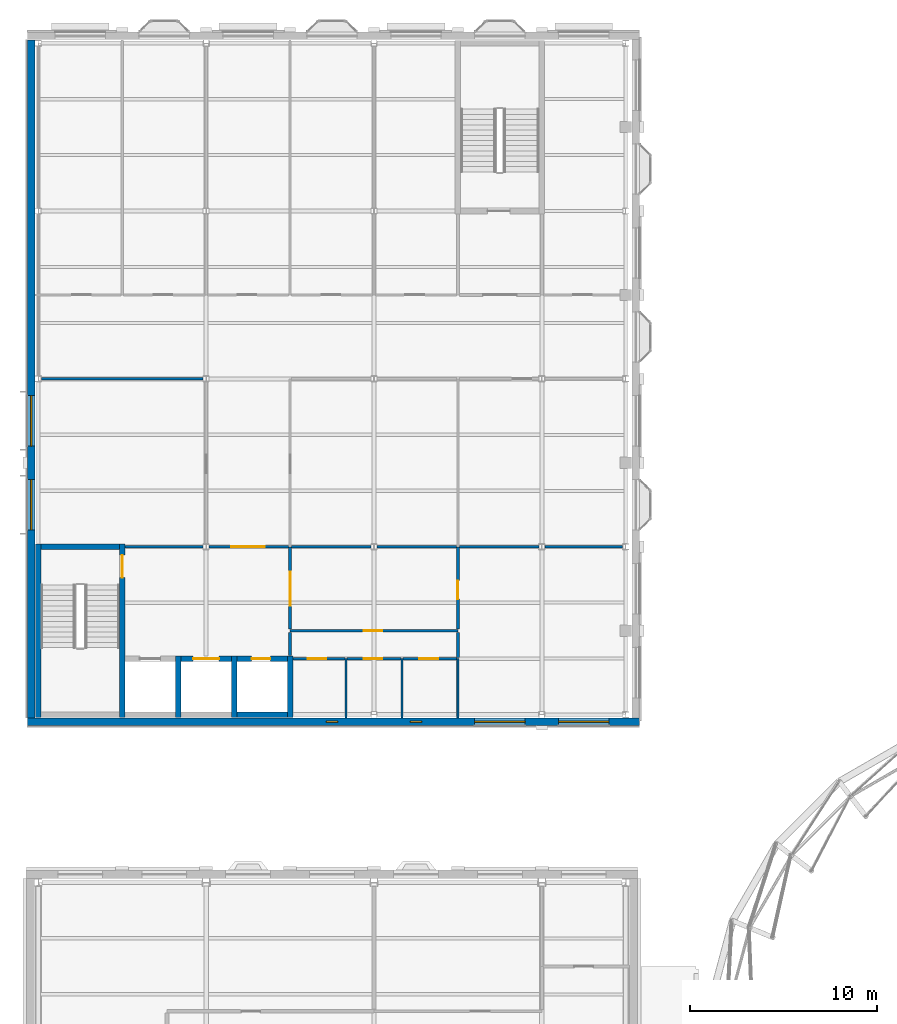
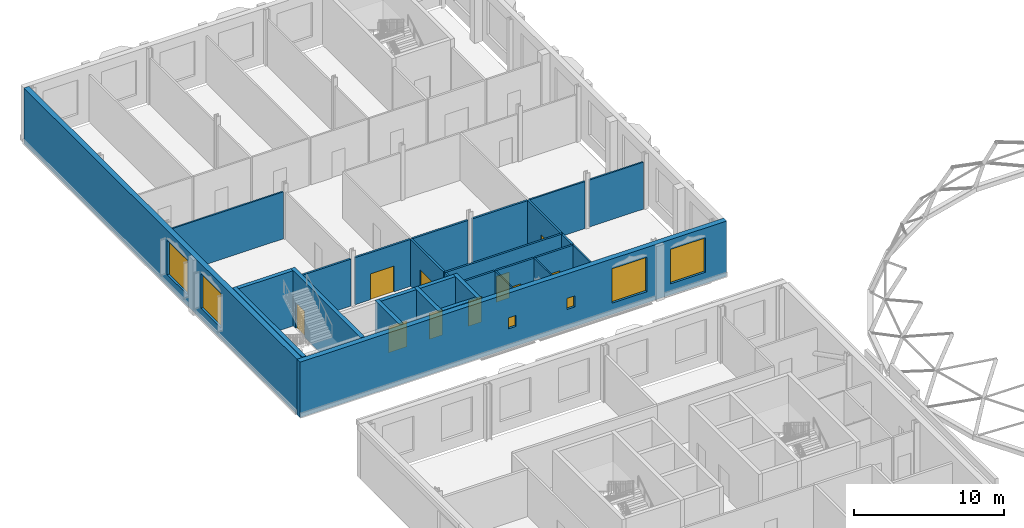
# One storey, part 25 of 59: 29 walls, 10 doors, 6 windows, 16 openings.
"""IFC4 building model written with IfcOpenShell, lengths in metres."""

from ifc_helpers import new_model, si_unit, direction, frame, frame_2d, origin, place, context, subcontext, project, spatial, rectangle, extrude, material, layer, layer_set, type_object, element, fill, save


model = new_model("IFC4")

# Units and contexts
model_context = context("Model", 3, precision=1e-05, world=origin(), true_north=direction((0.0, 1.0)))
body_context = subcontext(model_context, "Body", "Model", "MODEL_VIEW")
ifc_project = project(units=[si_unit("LENGTHUNIT", "METRE"), si_unit("AREAUNIT", "SQUARE_METRE"), si_unit("VOLUMEUNIT", "CUBIC_METRE"), si_unit("PLANEANGLEUNIT", "RADIAN"), si_unit("MASSUNIT", "GRAM", prefix="KILO")], contexts=[model_context])

# Site, building, storey
site_placement = place(None, origin())
site = spatial("IfcSite", under=ifc_project, at=site_placement, CompositionType="ELEMENT")
building_placement = place(site_placement, origin())
building = spatial("IfcBuilding", under=site, at=building_placement, Name="Hortulan Conservatory and Botanical Research Centre", CompositionType="ELEMENT")
storey_placement = place(building_placement, frame((0.0, 0.0, 10.5)))
storey = spatial("IfcBuildingStorey", under=building, at=storey_placement, Name="L02", CompositionType="ELEMENT", Elevation=10.5)

# Wall
ifc_material_1 = material(Name="Concrete N40 (40 MPa, AS 3600)", Category="concrete")
ifc_layer_1 = layer(ifc_material_1, 0.300048828125)
ifc_layer_set_1 = layer_set([ifc_layer_1], Name="Core Wall 300 N40 FRL 180/120/120")
wall_type_1 = type_object("IfcWallType", Name="Core Wall 300 N40 FRL 180/120/120", PredefinedType="SHEAR", material=ifc_layer_set_1)
wall_1_placement = place(storey_placement, frame((0.0, 35.85009765625, 0.0), z_axis=(0.0, 0.0, 1.0), x_axis=(0.0, 1.0, 0.0)))
element("IfcWall", 1, at=wall_1_placement, inside=storey, type_object=wall_type_1, Name="Reinforced concrete shaft wall", PredefinedType="SHEAR", context=body_context, shape_type="SweptSolid", body=[
    extrude(rectangle(XDim=9.2998046875, YDim=0.300048828125, at=frame_2d((4.64990234375, 0.0))), origin(), (0.0, 0.0, 1.0), 4.5),
])

# Wall, opening, door
wall_2_placement = place(storey_placement, frame((4.5, 35.85009765625, 0.0), z_axis=(0.0, 0.0, 1.0), x_axis=(0.0, 1.0, 0.0)))
wall_2 = element("IfcWall", 2, at=wall_2_placement, inside=storey, type_object=wall_type_1, Name="Reinforced concrete shaft wall", PredefinedType="SHEAR", context=body_context, shape_type="SweptSolid", body=[
    extrude(rectangle(XDim=9.2998046875, YDim=0.300048828125, at=frame_2d((4.64990234375, 0.0))), origin(), (0.0, 0.0, 1.0), 4.5),
])
opening_1_placement = place(wall_2_placement, frame((7.5, 0.0, 0.0)))
opening_1 = element("IfcOpeningElement", 3, at=opening_1_placement, cuts=wall_2, Name="Opening DT5", PredefinedType="OPENING", context=body_context, shape_type="SweptSolid", body=[
    extrude(rectangle(XDim=1.199951171875, YDim=2.10009765625, at=frame_2d((0.60009765625, 1.050048828125))), frame((0.0, 0.159912109375, 0.0), z_axis=(0.0, -1.0, 0.0), x_axis=(1.0, 0.0, 0.0)), (0.0, 0.0, 1.0), 0.320068359375),
])
ifc_material_2 = material(Name="Steel door leaf, insulated", Category="steel")
door_type_1 = type_object("IfcDoorType", Name="Stair Door 1200x2100 FRL -/120/30", OperationType="NOTDEFINED", PredefinedType="DOOR", material=ifc_material_2)
door_1_placement = place(opening_1_placement, origin())
door_1 = element("IfcDoor", 4, at=door_1_placement, inside=storey, type_object=door_type_1, Name="Door DT5 Exit Stair V1 to Lift Lobby", OperationType="SINGLE_SWING_LEFT", OverallHeight=2.10009765625, OverallWidth=1.199951171875, PredefinedType="DOOR", context=body_context, shape_type="SweptSolid", body=[
    extrude(rectangle(XDim=1.199951171875, YDim=2.10009765625, at=frame_2d((0.60009765625, 1.050048828125))), frame((0.0, 0.02490234375, 0.0), z_axis=(0.0, -1.0, 0.0), x_axis=(1.0, 0.0, 0.0)), (0.0, 0.0, 1.0), 0.050048828125),
])
fill(opening_1, door_1)

# Walls
for number, where, z_axis, x_axis, name in (
    (5, (7.5, 35.85009765625, 0.0), (0.0, 0.0, 1.0), (0.0, 1.0, 0.0), "Reinforced concrete shaft wall"),
    (6, (10.5, 35.85009765625, 0.0), (0.0, 0.0, 1.0), (0.0, 1.0, 0.0), "Reinforced concrete shaft wall"),
    (7, (13.5, 35.85009765625, 0.0), (0.0, 0.0, 1.0), (0.0, 1.0, 0.0), "Reinforced concrete shaft wall"),
):
    element("IfcWall", number, at=place(storey_placement, frame(where, z_axis=z_axis, x_axis=x_axis)), inside=storey, type_object=wall_type_1, Name=name, PredefinedType="SHEAR", context=body_context, shape_type="SweptSolid", body=[
        extrude(rectangle(XDim=3.2998046875, YDim=0.300048828125, at=frame_2d((1.64990234375, 0.0))), origin(), (0.0, 0.0, 1.0), 4.5),
    ])
wall_3_placement = place(storey_placement, frame((10.64990234375, 36.0, 0.0), z_axis=(0.0, 0.0, 1.0), x_axis=(1.0, 0.0, 0.0)))
element("IfcWall", 8, at=wall_3_placement, inside=storey, type_object=wall_type_1, Name="Reinforced concrete shaft wall", PredefinedType="SHEAR", context=body_context, shape_type="SweptSolid", body=[
    extrude(rectangle(XDim=2.7001953125, YDim=0.300048828125, at=frame_2d((1.35009765625, 0.0))), origin(), (0.0, 0.0, 1.0), 4.5),
])

# Wall, opening, door
wall_4_placement = place(storey_placement, frame((7.64990234375, 39.0, 0.0), z_axis=(0.0, 0.0, 1.0), x_axis=(1.0, 0.0, 0.0)))
wall_4 = element("IfcWall", 9, at=wall_4_placement, inside=storey, type_object=wall_type_1, Name="Reinforced concrete shaft wall", PredefinedType="SHEAR", context=body_context, shape_type="SweptSolid", body=[
    extrude(rectangle(XDim=2.7001953125, YDim=0.300048828125, at=frame_2d((1.35009765625, 0.0))), origin(), (0.0, 0.0, 1.0), 4.5),
])
opening_2_placement = place(wall_4_placement, frame((0.64990234375, 0.0, 0.0)))
opening_2 = element("IfcOpeningElement", 10, at=opening_2_placement, cuts=wall_4, Name="Opening LD2", PredefinedType="OPENING", context=body_context, shape_type="SweptSolid", body=[
    extrude(rectangle(XDim=1.39990234375, YDim=2.10009765625, at=frame_2d((0.699951171875, 1.050048828125))), frame((0.0, 0.159912109375, 0.0), z_axis=(0.0, -1.0, 0.0), x_axis=(1.0, 0.0, 0.0)), (0.0, 0.0, 1.0), 0.320068359375),
])
ifc_material_3 = material(Name="Stainless steel door leaves in steel frame", Category="steel")
door_type_2 = type_object("IfcDoorType", Name="Lift Landing Door 1400x2100", OperationType="DOUBLE_DOOR_SLIDING", PredefinedType="DOOR", material=ifc_material_3)
door_2_placement = place(opening_2_placement, origin())
door_2 = element("IfcDoor", 11, at=door_2_placement, inside=storey, type_object=door_type_2, Name="Lift LV2 landing door L02", OperationType="DOUBLE_DOOR_SLIDING", OverallHeight=2.10009765625, OverallWidth=1.39990234375, PredefinedType="DOOR", context=body_context, shape_type="SweptSolid", body=[
    extrude(rectangle(XDim=1.39990234375, YDim=2.10009765625, at=frame_2d((0.699951171875, 1.050048828125))), frame((0.0, 0.02490234375, 0.0), z_axis=(0.0, -1.0, 0.0), x_axis=(1.0, 0.0, 0.0)), (0.0, 0.0, 1.0), 0.050048828125),
])
fill(opening_2, door_2)

wall_5_placement = place(storey_placement, frame((10.64990234375, 39.0, 0.0), z_axis=(0.0, 0.0, 1.0), x_axis=(1.0, 0.0, 0.0)))
wall_5 = element("IfcWall", 12, at=wall_5_placement, inside=storey, type_object=wall_type_1, Name="Reinforced concrete shaft wall", PredefinedType="SHEAR", context=body_context, shape_type="SweptSolid", body=[
    extrude(rectangle(XDim=2.7001953125, YDim=0.300048828125, at=frame_2d((1.35009765625, 0.0))), origin(), (0.0, 0.0, 1.0), 4.5),
])
opening_3_placement = place(wall_5_placement, frame((0.788818359375, 0.0, 0.0)))
opening_3 = element("IfcOpeningElement", 13, at=opening_3_placement, cuts=wall_5, Name="Opening DT6", PredefinedType="OPENING", context=body_context, shape_type="SweptSolid", body=[
    extrude(rectangle(XDim=1.0, YDim=2.10009765625, at=frame_2d((0.5, 1.050048828125))), frame((0.0, 0.159912109375, 0.0), z_axis=(0.0, -1.0, 0.0), x_axis=(1.0, 0.0, 0.0)), (0.0, 0.0, 1.0), 0.320068359375),
])
door_type_3 = type_object("IfcDoorType", Name="Fire Door 1000x2100 FRL -/120/30", OperationType="NOTDEFINED", PredefinedType="DOOR", material=ifc_material_2)
door_3_placement = place(opening_3_placement, frame((1.0, 0.0, 0.0), z_axis=(0.0, 0.0, 1.0), x_axis=(-1.0, 0.0, 0.0)))
door_3 = element("IfcDoor", 14, at=door_3_placement, inside=storey, type_object=door_type_3, Name="Door DT6 Services Riser to Lift Lobby", OperationType="SINGLE_SWING_RIGHT", OverallHeight=2.10009765625, OverallWidth=1.0, PredefinedType="DOOR", context=body_context, shape_type="SweptSolid", body=[
    extrude(rectangle(XDim=1.0, YDim=2.10009765625, at=frame_2d((0.5, 1.050048828125))), frame((0.0, 0.02490234375, 0.0), z_axis=(0.0, -1.0, 0.0), x_axis=(1.0, 0.0, 0.0)), (0.0, 0.0, 1.0), 0.050048828125),
])
fill(opening_3, door_3)

# Wall
wall_6_placement = place(storey_placement, frame((0.14990234375, 45.0, 0.0), z_axis=(0.0, 0.0, 1.0), x_axis=(1.0, 0.0, 0.0)))
element("IfcWall", 15, at=wall_6_placement, inside=storey, type_object=wall_type_1, Name="Reinforced concrete shaft wall", PredefinedType="SHEAR", context=body_context, shape_type="SweptSolid", body=[
    extrude(rectangle(XDim=4.2001953125, YDim=0.300048828125, at=frame_2d((2.10009765625, 0.0))), origin(), (0.0, 0.0, 1.0), 4.5),
])

# Wall, opening, door
ifc_material_4 = material(Name="Plasterboard on steel studs", Category="steel")
ifc_layer_2 = layer(ifc_material_4, 0.14990234375)
ifc_layer_set_2 = layer_set([ifc_layer_2], Name="Corridor Partition 150")
wall_type_2 = type_object("IfcWallType", Name="Corridor Partition 150", PredefinedType="PARTITIONING", material=ifc_layer_set_2)
wall_7_placement = place(storey_placement, frame((22.5, 40.5849609375, 0.0), z_axis=(0.0, 0.0, 1.0), x_axis=(0.0, 1.0, 0.0)))
wall_7 = element("IfcWall", 16, at=wall_7_placement, inside=storey, type_object=wall_type_2, Name="Partition Education Foyer and Teachers' Room L02", PredefinedType="PARTITIONING", context=body_context, shape_type="SweptSolid", body=[
    extrude(rectangle(XDim=4.405029296875, YDim=0.14990234375, at=frame_2d((2.20263671875, 0.0))), origin(), (0.0, 0.0, 1.0), 3.822021484375),
])
opening_4_placement = place(wall_7_placement, frame((1.60302734375, 0.0, 0.0)))
opening_4 = element("IfcOpeningElement", 17, at=opening_4_placement, cuts=wall_7, Name="Opening DT1", PredefinedType="OPENING", context=body_context, shape_type="SweptSolid", body=[
    extrude(rectangle(XDim=1.0, YDim=2.10009765625, at=frame_2d((0.5, 1.050048828125))), frame((0.0, 0.0849609375, 0.0), z_axis=(0.0, -1.0, 0.0), x_axis=(1.0, 0.0, 0.0)), (0.0, 0.0, 1.0), 0.169921875),
])
ifc_material_5 = material(Name="Timber door leaf in timber frame", Category="wood")
door_type_4 = type_object("IfcDoorType", Name="Single Door 1000x2100", OperationType="NOTDEFINED", PredefinedType="DOOR", material=ifc_material_5)
door_4_placement = place(opening_4_placement, frame((1.0, 0.0, 0.0), z_axis=(0.0, 0.0, 1.0), x_axis=(-1.0, 0.0, 0.0)))
door_4 = element("IfcDoor", 18, at=door_4_placement, inside=storey, type_object=door_type_4, Name="Door DT1 Teachers' Room to Education Foyer", OperationType="SINGLE_SWING_RIGHT", OverallHeight=2.10009765625, OverallWidth=1.0, PredefinedType="DOOR", context=body_context, shape_type="SweptSolid", body=[
    extrude(rectangle(XDim=1.0, YDim=2.10009765625, at=frame_2d((0.5, 1.050048828125))), frame((0.0, 0.02490234375, 0.0), z_axis=(0.0, -1.0, 0.0), x_axis=(1.0, 0.0, 0.0)), (0.0, 0.0, 1.0), 0.050048828125),
])
fill(opening_4, door_4)

# Walls
for number, where, z_axis, x_axis, name in (
    (19, (13.574951171875, 45.0, 0.0), (0.0, 0.0, 1.0), (1.0, 0.0, 0.0), "Partition Education Foyer and Education Preparation Room L02"),
    (20, (18.16357421875, 45.0, 0.0), (0.0, 0.0, 1.0), (1.0, 0.0, 0.0), "Partition Education Foyer and Education Preparation Room L02"),
):
    element("IfcWall", number, at=place(storey_placement, frame(where, z_axis=z_axis, x_axis=x_axis)), inside=storey, type_object=wall_type_2, Name=name, PredefinedType="PARTITIONING", context=body_context, shape_type="SweptSolid", body=[
        extrude(rectangle(XDim=4.261474609375, YDim=0.14990234375, at=frame_2d((2.130859375, 0.0))), origin(), (0.0, 0.0, 1.0), 3.822021484375),
    ])

# Wall, openings, windows
ifc_material_6 = material(Name="Faience-faced brickwork masonry", Category="masonry")
ifc_layer_3 = layer(ifc_material_6, 0.39990234375)
ifc_layer_set_3 = layer_set([ifc_layer_3], Name="Faience-faced Masonry Cavity Wall 400")
wall_type_3 = type_object("IfcWallType", Name="Faience-faced Masonry Cavity Wall 400", PredefinedType="STANDARD", material=ifc_layer_set_3)
wall_8_placement = place(storey_placement, frame((32.22509765625, 35.614501953125, 0.0), z_axis=(0.0, 0.0, 1.0), x_axis=(-1.0, 0.0, 0.0)))
wall_8 = element("IfcWall", 21, at=wall_8_placement, inside=storey, type_object=wall_type_3, Name="E-EW-VC-L02-S1", PredefinedType="STANDARD", context=body_context, shape_type="SweptSolid", body=[
    extrude(rectangle(XDim=32.8046875, YDim=0.39990234375, at=frame_2d((16.40234375, 0.0))), origin(), (0.0, 0.0, 1.0), 4.5),
])
opening_5_placement = place(wall_8_placement, frame((16.175048828125, 0.0, 1.60009765625)))
opening_5 = element("IfcOpeningElement", 22, at=opening_5_placement, cuts=wall_8, Name="Opening W3", PredefinedType="OPENING", context=body_context, shape_type="SweptSolid", body=[
    extrude(rectangle(XDim=0.60009765625, YDim=0.89990234375, at=frame_2d((0.300048828125, 0.449951171875))), frame((0.0, 0.2099609375, 0.0), z_axis=(0.0, -1.0, 0.0), x_axis=(1.0, 0.0, 0.0)), (0.0, 0.0, 1.0), 0.419921875),
])
opening_6_placement = place(wall_8_placement, frame((11.675048828125, 0.0, 1.60009765625)))
opening_6 = element("IfcOpeningElement", 23, at=opening_6_placement, cuts=wall_8, Name="Opening W3", PredefinedType="OPENING", context=body_context, shape_type="SweptSolid", body=[
    extrude(rectangle(XDim=0.60009765625, YDim=0.89990234375, at=frame_2d((0.300048828125, 0.449951171875))), frame((0.0, 0.2099609375, 0.0), z_axis=(0.0, -1.0, 0.0), x_axis=(1.0, 0.0, 0.0)), (0.0, 0.0, 1.0), 0.419921875),
])
opening_7_placement = place(wall_8_placement, frame((6.125, 0.0, 0.89990234375)))
opening_7 = element("IfcOpeningElement", 24, at=opening_7_placement, cuts=wall_8, Name="Opening W9", PredefinedType="OPENING", context=body_context, shape_type="SweptSolid", body=[
    extrude(rectangle(XDim=2.699951171875, YDim=2.800048828125, at=frame_2d((1.35009765625, 1.39990234375))), frame((0.0, 0.2099609375, 0.0), z_axis=(0.0, -1.0, 0.0), x_axis=(1.0, 0.0, 0.0)), (0.0, 0.0, 1.0), 0.419921875),
])
opening_8_placement = place(wall_8_placement, frame((1.625, 0.0, 0.89990234375)))
opening_8 = element("IfcOpeningElement", 25, at=opening_8_placement, cuts=wall_8, Name="Opening W9", PredefinedType="OPENING", context=body_context, shape_type="SweptSolid", body=[
    extrude(rectangle(XDim=2.699951171875, YDim=2.800048828125, at=frame_2d((1.35009765625, 1.39990234375))), frame((0.0, 0.2099609375, 0.0), z_axis=(0.0, -1.0, 0.0), x_axis=(1.0, 0.0, 0.0)), (0.0, 0.0, 1.0), 0.419921875),
])
ifc_material_7 = material(Name="Bronze-finished aluminium frame with low-e laminated double glazing", Category="aluminium")
window_type_1 = type_object("IfcWindowType", Name="Faience Window 2700x2800", PartitioningType="SINGLE_PANEL", PredefinedType="WINDOW", material=ifc_material_7)
window_1_placement = place(opening_7_placement, origin())
window_1 = element("IfcWindow", 26, at=window_1_placement, inside=storey, type_object=window_type_1, Name="Faience window", OverallHeight=2.800048828125, OverallWidth=2.699951171875, PartitioningType="SINGLE_PANEL", PredefinedType="WINDOW", context=body_context, shape_type="SweptSolid", body=[
    extrude(rectangle(XDim=2.699951171875, YDim=2.800048828125, at=frame_2d((1.35009765625, 1.39990234375))), frame((0.0, 0.030029296875, 0.0), z_axis=(0.0, -1.0, 0.0), x_axis=(1.0, 0.0, 0.0)), (0.0, 0.0, 1.0), 0.06005859375),
])
fill(opening_7, window_1)
window_2_placement = place(opening_8_placement, origin())
window_2 = element("IfcWindow", 27, at=window_2_placement, inside=storey, type_object=window_type_1, Name="Faience window", OverallHeight=2.800048828125, OverallWidth=2.699951171875, PartitioningType="SINGLE_PANEL", PredefinedType="WINDOW", context=body_context, shape_type="SweptSolid", body=[
    extrude(rectangle(XDim=2.699951171875, YDim=2.800048828125, at=frame_2d((1.35009765625, 1.39990234375))), frame((0.0, 0.030029296875, 0.0), z_axis=(0.0, -1.0, 0.0), x_axis=(1.0, 0.0, 0.0)), (0.0, 0.0, 1.0), 0.06005859375),
])
fill(opening_8, window_2)
window_type_2 = type_object("IfcWindowType", Name="Slot Window 600x900", PartitioningType="SINGLE_PANEL", PredefinedType="WINDOW", material=ifc_material_7)
window_3_placement = place(opening_5_placement, origin())
window_3 = element("IfcWindow", 28, at=window_3_placement, inside=storey, type_object=window_type_2, Name="Slot window", OverallHeight=0.89990234375, OverallWidth=0.60009765625, PartitioningType="SINGLE_PANEL", PredefinedType="WINDOW", context=body_context, shape_type="SweptSolid", body=[
    extrude(rectangle(XDim=0.60009765625, YDim=0.89990234375, at=frame_2d((0.300048828125, 0.449951171875))), frame((0.0, 0.030029296875, 0.0), z_axis=(0.0, -1.0, 0.0), x_axis=(1.0, 0.0, 0.0)), (0.0, 0.0, 1.0), 0.06005859375),
])
fill(opening_5, window_3)
window_4_placement = place(opening_6_placement, origin())
window_4 = element("IfcWindow", 29, at=window_4_placement, inside=storey, type_object=window_type_2, Name="Slot window", OverallHeight=0.89990234375, OverallWidth=0.60009765625, PartitioningType="SINGLE_PANEL", PredefinedType="WINDOW", context=body_context, shape_type="SweptSolid", body=[
    extrude(rectangle(XDim=0.60009765625, YDim=0.89990234375, at=frame_2d((0.300048828125, 0.449951171875))), frame((0.0, 0.030029296875, 0.0), z_axis=(0.0, -1.0, 0.0), x_axis=(1.0, 0.0, 0.0)), (0.0, 0.0, 1.0), 0.06005859375),
])
fill(opening_6, window_4)

wall_9_placement = place(storey_placement, frame((-0.37939453125, 35.820556640625, 0.0), z_axis=(0.0, 0.0, 1.0), x_axis=(0.0, 1.0, 0.0)))
wall_9 = element("IfcWall", 30, at=wall_9_placement, inside=storey, type_object=wall_type_3, Name="E-EW-VC-L02-W2", PredefinedType="STANDARD", context=body_context, shape_type="SweptSolid", body=[
    extrude(rectangle(XDim=36.35888671875, YDim=0.39990234375, at=frame_2d((18.179443359375, 0.0))), origin(), (0.0, 0.0, 1.0), 4.5),
])
opening_9_placement = place(wall_9_placement, frame((10.07958984375, 0.0, 0.89990234375)))
opening_9 = element("IfcOpeningElement", 31, at=opening_9_placement, cuts=wall_9, Name="Opening W9", PredefinedType="OPENING", context=body_context, shape_type="SweptSolid", body=[
    extrude(rectangle(XDim=2.699951171875, YDim=2.800048828125, at=frame_2d((1.35009765625, 1.39990234375))), frame((0.0, 0.2099609375, 0.0), z_axis=(0.0, -1.0, 0.0), x_axis=(1.0, 0.0, 0.0)), (0.0, 0.0, 1.0), 0.419921875),
])
opening_10_placement = place(wall_9_placement, frame((14.57958984375, 0.0, 0.89990234375)))
opening_10 = element("IfcOpeningElement", 32, at=opening_10_placement, cuts=wall_9, Name="Opening W9", PredefinedType="OPENING", context=body_context, shape_type="SweptSolid", body=[
    extrude(rectangle(XDim=2.699951171875, YDim=2.800048828125, at=frame_2d((1.35009765625, 1.39990234375))), frame((0.0, 0.2099609375, 0.0), z_axis=(0.0, -1.0, 0.0), x_axis=(1.0, 0.0, 0.0)), (0.0, 0.0, 1.0), 0.419921875),
])
window_5_placement = place(opening_9_placement, origin())
window_5 = element("IfcWindow", 33, at=window_5_placement, inside=storey, type_object=window_type_1, Name="Faience window", OverallHeight=2.800048828125, OverallWidth=2.699951171875, PartitioningType="SINGLE_PANEL", PredefinedType="WINDOW", context=body_context, shape_type="SweptSolid", body=[
    extrude(rectangle(XDim=2.699951171875, YDim=2.800048828125, at=frame_2d((1.35009765625, 1.39990234375))), frame((0.0, 0.030029296875, 0.0), z_axis=(0.0, -1.0, 0.0), x_axis=(1.0, 0.0, 0.0)), (0.0, 0.0, 1.0), 0.06005859375),
])
fill(opening_9, window_5)
window_6_placement = place(opening_10_placement, origin())
window_6 = element("IfcWindow", 34, at=window_6_placement, inside=storey, type_object=window_type_1, Name="Faience window", OverallHeight=2.800048828125, OverallWidth=2.699951171875, PartitioningType="SINGLE_PANEL", PredefinedType="WINDOW", context=body_context, shape_type="SweptSolid", body=[
    extrude(rectangle(XDim=2.699951171875, YDim=2.800048828125, at=frame_2d((1.35009765625, 1.39990234375))), frame((0.0, 0.030029296875, 0.0), z_axis=(0.0, -1.0, 0.0), x_axis=(1.0, 0.0, 0.0)), (0.0, 0.0, 1.0), 0.06005859375),
])
fill(opening_10, window_6)

# Wall
ifc_material_8 = material(Name="Fire-rated plasterboard on steel studs", Category="steel")
ifc_layer_4 = layer(ifc_material_8, 0.14990234375)
ifc_layer_set_4 = layer_set([ifc_layer_4], Name="Lobby Partition 150")
wall_type_4 = type_object("IfcWallType", Name="Lobby Partition 150", PredefinedType="PARTITIONING", material=ifc_layer_set_4)
wall_10_placement = place(storey_placement, frame((13.5, 39.159912109375, 0.0), z_axis=(0.0, 0.0, 1.0), x_axis=(0.0, 1.0, 0.0)))
element("IfcWall", 35, at=wall_10_placement, inside=storey, type_object=wall_type_4, Name="Partition Lift Lobby and WC Lobby L02", PredefinedType="PARTITIONING", context=body_context, shape_type="SweptSolid", body=[
    extrude(rectangle(XDim=1.255126953125, YDim=0.14990234375, at=frame_2d((0.62744140625, 0.0))), origin(), (0.0, 0.0, 1.0), 3.822021484375),
])

# Wall, opening, door
wall_11_placement = place(storey_placement, frame((13.5, 40.5849609375, 0.0), z_axis=(0.0, 0.0, 1.0), x_axis=(0.0, 1.0, 0.0)))
wall_11 = element("IfcWall", 36, at=wall_11_placement, inside=storey, type_object=wall_type_4, Name="Partition Lift Lobby and Education Foyer L02", PredefinedType="PARTITIONING", context=body_context, shape_type="SweptSolid", body=[
    extrude(rectangle(XDim=4.405029296875, YDim=0.14990234375, at=frame_2d((2.20263671875, 0.0))), origin(), (0.0, 0.0, 1.0), 3.822021484375),
])
opening_11_placement = place(wall_11_placement, frame((1.264892578125, 0.0, 0.0)))
opening_11 = element("IfcOpeningElement", 37, at=opening_11_placement, cuts=wall_11, Name="Opening DT8", PredefinedType="OPENING", context=body_context, shape_type="SweptSolid", body=[
    extrude(rectangle(XDim=1.800048828125, YDim=2.10009765625, at=frame_2d((0.89990234375, 1.050048828125))), frame((0.0, 0.0849609375, 0.0), z_axis=(0.0, -1.0, 0.0), x_axis=(1.0, 0.0, 0.0)), (0.0, 0.0, 1.0), 0.169921875),
])
door_type_5 = type_object("IfcDoorType", Name="Lobby Double Door 1800x2100 FRL -/60/30", OperationType="DOUBLE_DOOR_SINGLE_SWING", PredefinedType="DOOR", material=ifc_material_2)
door_5_placement = place(opening_11_placement, frame((1.800048828125, 0.0, 0.0), z_axis=(0.0, 0.0, 1.0), x_axis=(-1.0, 0.0, 0.0)))
door_5 = element("IfcDoor", 38, at=door_5_placement, inside=storey, type_object=door_type_5, Name="Door DT8 Lift Lobby to Education Foyer", OperationType="DOUBLE_DOOR_SINGLE_SWING", OverallHeight=2.10009765625, OverallWidth=1.800048828125, PredefinedType="DOOR", context=body_context, shape_type="SweptSolid", body=[
    extrude(rectangle(XDim=1.800048828125, YDim=2.10009765625, at=frame_2d((0.89990234375, 1.050048828125))), frame((0.0, 0.02490234375, 0.0), z_axis=(0.0, -1.0, 0.0), x_axis=(1.0, 0.0, 0.0)), (0.0, 0.0, 1.0), 0.050048828125),
])
fill(opening_11, door_5)

# Wall
wall_12_placement = place(storey_placement, frame((22.5, 39.074951171875, 0.0), z_axis=(0.0, 0.0, 1.0), x_axis=(0.0, 1.0, 0.0)))
element("IfcWall", 39, at=wall_12_placement, inside=storey, type_object=wall_type_4, Name="Partition WC Lobby and Teachers' Room L02", PredefinedType="PARTITIONING", context=body_context, shape_type="SweptSolid", body=[
    extrude(rectangle(XDim=1.340087890625, YDim=0.14990234375, at=frame_2d((0.669921875, 0.0))), origin(), (0.0, 0.0, 1.0), 3.822021484375),
])

# Wall, opening, door
wall_13_placement = place(storey_placement, frame((13.659912109375, 39.0, 0.0), z_axis=(0.0, 0.0, 1.0), x_axis=(1.0, 0.0, 0.0)))
wall_13 = element("IfcWall", 40, at=wall_13_placement, inside=storey, type_object=wall_type_4, Name="Partition Accessible WC and WC Lobby L02", PredefinedType="PARTITIONING", context=body_context, shape_type="SweptSolid", body=[
    extrude(rectangle(XDim=2.780029296875, YDim=0.14990234375, at=frame_2d((1.39013671875, 0.0))), origin(), (0.0, 0.0, 1.0), 3.822021484375),
])
opening_12_placement = place(wall_13_placement, frame((0.77880859375, 0.0, 0.0)))
opening_12 = element("IfcOpeningElement", 41, at=opening_12_placement, cuts=wall_13, Name="Opening DT4", PredefinedType="OPENING", context=body_context, shape_type="SweptSolid", body=[
    extrude(rectangle(XDim=1.0, YDim=2.10009765625, at=frame_2d((0.5, 1.050048828125))), frame((0.0, 0.0849609375, 0.0), z_axis=(0.0, -1.0, 0.0), x_axis=(1.0, 0.0, 0.0)), (0.0, 0.0, 1.0), 0.169921875),
])
door_type_6 = type_object("IfcDoorType", Name="Fire Door 1000x2100 FRL -/60/30", OperationType="NOTDEFINED", PredefinedType="DOOR", material=ifc_material_2)
door_6_placement = place(opening_12_placement, frame((1.0, 0.0, 0.0), z_axis=(0.0, 0.0, 1.0), x_axis=(-1.0, 0.0, 0.0)))
door_6 = element("IfcDoor", 42, at=door_6_placement, inside=storey, type_object=door_type_6, Name="Door DT4 Accessible WC to WC Lobby", OperationType="SINGLE_SWING_RIGHT", OverallHeight=2.10009765625, OverallWidth=1.0, PredefinedType="DOOR", context=body_context, shape_type="SweptSolid", body=[
    extrude(rectangle(XDim=1.0, YDim=2.10009765625, at=frame_2d((0.5, 1.050048828125))), frame((0.0, 0.02490234375, 0.0), z_axis=(0.0, -1.0, 0.0), x_axis=(1.0, 0.0, 0.0)), (0.0, 0.0, 1.0), 0.050048828125),
])
fill(opening_12, door_6)

wall_14_placement = place(storey_placement, frame((16.56005859375, 39.0, 0.0), z_axis=(0.0, 0.0, 1.0), x_axis=(1.0, 0.0, 0.0)))
wall_14 = element("IfcWall", 43, at=wall_14_placement, inside=storey, type_object=wall_type_4, Name="Partition Women's WC and WC Lobby L02", PredefinedType="PARTITIONING", context=body_context, shape_type="SweptSolid", body=[
    extrude(rectangle(XDim=2.8798828125, YDim=0.14990234375, at=frame_2d((1.43994140625, 0.0))), origin(), (0.0, 0.0, 1.0), 3.822021484375),
])
opening_13_placement = place(wall_14_placement, frame((0.87890625, 0.0, 0.0)))
opening_13 = element("IfcOpeningElement", 44, at=opening_13_placement, cuts=wall_14, Name="Opening DT4", PredefinedType="OPENING", context=body_context, shape_type="SweptSolid", body=[
    extrude(rectangle(XDim=1.0, YDim=2.10009765625, at=frame_2d((0.5, 1.050048828125))), frame((0.0, 0.0849609375, 0.0), z_axis=(0.0, -1.0, 0.0), x_axis=(1.0, 0.0, 0.0)), (0.0, 0.0, 1.0), 0.169921875),
])
door_7_placement = place(opening_13_placement, frame((1.0, 0.0, 0.0), z_axis=(0.0, 0.0, 1.0), x_axis=(-1.0, 0.0, 0.0)))
door_7 = element("IfcDoor", 45, at=door_7_placement, inside=storey, type_object=door_type_6, Name="Door DT4 Women's WC to WC Lobby", OperationType="SINGLE_SWING_RIGHT", OverallHeight=2.10009765625, OverallWidth=1.0, PredefinedType="DOOR", context=body_context, shape_type="SweptSolid", body=[
    extrude(rectangle(XDim=1.0, YDim=2.10009765625, at=frame_2d((0.5, 1.050048828125))), frame((0.0, 0.02490234375, 0.0), z_axis=(0.0, -1.0, 0.0), x_axis=(1.0, 0.0, 0.0)), (0.0, 0.0, 1.0), 0.050048828125),
])
fill(opening_13, door_7)

wall_15_placement = place(storey_placement, frame((19.56005859375, 39.0, 0.0), z_axis=(0.0, 0.0, 1.0), x_axis=(1.0, 0.0, 0.0)))
wall_15 = element("IfcWall", 46, at=wall_15_placement, inside=storey, type_object=wall_type_4, Name="Partition Men's WC and WC Lobby L02", PredefinedType="PARTITIONING", context=body_context, shape_type="SweptSolid", body=[
    extrude(rectangle(XDim=2.8798828125, YDim=0.14990234375, at=frame_2d((1.43994140625, 0.0))), origin(), (0.0, 0.0, 1.0), 3.822021484375),
])
opening_14_placement = place(wall_15_placement, frame((0.87890625, 0.0, 0.0)))
opening_14 = element("IfcOpeningElement", 47, at=opening_14_placement, cuts=wall_15, Name="Opening DT4", PredefinedType="OPENING", context=body_context, shape_type="SweptSolid", body=[
    extrude(rectangle(XDim=1.0, YDim=2.10009765625, at=frame_2d((0.5, 1.050048828125))), frame((0.0, 0.0849609375, 0.0), z_axis=(0.0, -1.0, 0.0), x_axis=(1.0, 0.0, 0.0)), (0.0, 0.0, 1.0), 0.169921875),
])
door_8_placement = place(opening_14_placement, frame((1.0, 0.0, 0.0), z_axis=(0.0, 0.0, 1.0), x_axis=(-1.0, 0.0, 0.0)))
door_8 = element("IfcDoor", 48, at=door_8_placement, inside=storey, type_object=door_type_6, Name="Door DT4 Men's WC to WC Lobby", OperationType="SINGLE_SWING_RIGHT", OverallHeight=2.10009765625, OverallWidth=1.0, PredefinedType="DOOR", context=body_context, shape_type="SweptSolid", body=[
    extrude(rectangle(XDim=1.0, YDim=2.10009765625, at=frame_2d((0.5, 1.050048828125))), frame((0.0, 0.02490234375, 0.0), z_axis=(0.0, -1.0, 0.0), x_axis=(1.0, 0.0, 0.0)), (0.0, 0.0, 1.0), 0.050048828125),
])
fill(opening_14, door_8)

wall_16_placement = place(storey_placement, frame((13.5, 40.5, 0.0), z_axis=(0.0, 0.0, 1.0), x_axis=(1.0, 0.0, 0.0)))
wall_16 = element("IfcWall", 49, at=wall_16_placement, inside=storey, type_object=wall_type_4, Name="Partition WC Lobby and Education Foyer L02", PredefinedType="PARTITIONING", context=body_context, shape_type="SweptSolid", body=[
    extrude(rectangle(XDim=9.0, YDim=0.14990234375, at=frame_2d((4.5, 0.0))), origin(), (0.0, 0.0, 1.0), 3.822021484375),
])
opening_15_placement = place(wall_16_placement, frame((3.937744140625, 0.0, 0.0)))
opening_15 = element("IfcOpeningElement", 50, at=opening_15_placement, cuts=wall_16, Name="Opening DT4", PredefinedType="OPENING", context=body_context, shape_type="SweptSolid", body=[
    extrude(rectangle(XDim=1.0, YDim=2.10009765625, at=frame_2d((0.5, 1.050048828125))), frame((0.0, 0.0849609375, 0.0), z_axis=(0.0, -1.0, 0.0), x_axis=(1.0, 0.0, 0.0)), (0.0, 0.0, 1.0), 0.169921875),
])
door_9_placement = place(opening_15_placement, origin())
door_9 = element("IfcDoor", 51, at=door_9_placement, inside=storey, type_object=door_type_6, Name="Door DT4 WC Lobby to Education Foyer", OperationType="SINGLE_SWING_LEFT", OverallHeight=2.10009765625, OverallWidth=1.0, PredefinedType="DOOR", context=body_context, shape_type="SweptSolid", body=[
    extrude(rectangle(XDim=1.0, YDim=2.10009765625, at=frame_2d((0.5, 1.050048828125))), frame((0.0, 0.02490234375, 0.0), z_axis=(0.0, -1.0, 0.0), x_axis=(1.0, 0.0, 0.0)), (0.0, 0.0, 1.0), 0.050048828125),
])
fill(opening_15, door_9)

# Wall
wall_17_placement = place(storey_placement, frame((4.659912109375, 45.0, 0.0), z_axis=(0.0, 0.0, 1.0), x_axis=(1.0, 0.0, 0.0)))
element("IfcWall", 52, at=wall_17_placement, inside=storey, type_object=wall_type_4, Name="Partition Lift Lobby and Discovery Laboratory L02", PredefinedType="PARTITIONING", context=body_context, shape_type="SweptSolid", body=[
    extrude(rectangle(XDim=4.176513671875, YDim=0.14990234375, at=frame_2d((2.08837890625, 0.0))), origin(), (0.0, 0.0, 1.0), 3.822021484375),
])

# Wall, opening, door
wall_18_placement = place(storey_placement, frame((9.16357421875, 45.0, 0.0), z_axis=(0.0, 0.0, 1.0), x_axis=(1.0, 0.0, 0.0)))
wall_18 = element("IfcWall", 53, at=wall_18_placement, inside=storey, type_object=wall_type_4, Name="Partition Lift Lobby and Corridor West L02", PredefinedType="PARTITIONING", context=body_context, shape_type="SweptSolid", body=[
    extrude(rectangle(XDim=4.261474609375, YDim=0.14990234375, at=frame_2d((2.130859375, 0.0))), origin(), (0.0, 0.0, 1.0), 3.822021484375),
])
opening_16_placement = place(wall_18_placement, frame((1.1865234375, 0.0, 0.0)))
opening_16 = element("IfcOpeningElement", 54, at=opening_16_placement, cuts=wall_18, Name="Opening DT8", PredefinedType="OPENING", context=body_context, shape_type="SweptSolid", body=[
    extrude(rectangle(XDim=1.800048828125, YDim=2.10009765625, at=frame_2d((0.89990234375, 1.050048828125))), frame((0.0, 0.0849609375, 0.0), z_axis=(0.0, -1.0, 0.0), x_axis=(1.0, 0.0, 0.0)), (0.0, 0.0, 1.0), 0.169921875),
])
door_10_placement = place(opening_16_placement, origin())
door_10 = element("IfcDoor", 55, at=door_10_placement, inside=storey, type_object=door_type_5, Name="Door DT8 Lift Lobby to Corridor West", OperationType="DOUBLE_DOOR_SINGLE_SWING", OverallHeight=2.10009765625, OverallWidth=1.800048828125, PredefinedType="DOOR", context=body_context, shape_type="SweptSolid", body=[
    extrude(rectangle(XDim=1.800048828125, YDim=2.10009765625, at=frame_2d((0.89990234375, 1.050048828125))), frame((0.0, 0.02490234375, 0.0), z_axis=(0.0, -1.0, 0.0), x_axis=(1.0, 0.0, 0.0)), (0.0, 0.0, 1.0), 0.050048828125),
])
fill(opening_16, door_10)

# Walls
ifc_layer_5 = layer(ifc_material_4, 0.125)
ifc_layer_set_5 = layer_set([ifc_layer_5], Name="Partition 125")
wall_type_5 = type_object("IfcWallType", Name="Partition 125", PredefinedType="PARTITIONING", material=ifc_layer_set_5)
wall_19_placement = place(storey_placement, frame((22.574951171875, 45.0, 0.0), z_axis=(0.0, 0.0, 1.0), x_axis=(1.0, 0.0, 0.0)))
element("IfcWall", 56, at=wall_19_placement, inside=storey, type_object=wall_type_5, Name="Partition Teachers' Room and Education Resource Library L02", PredefinedType="PARTITIONING", context=body_context, shape_type="SweptSolid", body=[
    extrude(rectangle(XDim=4.261474609375, YDim=0.125, at=frame_2d((2.130859375, 0.0))), origin(), (0.0, 0.0, 1.0), 3.822021484375),
])
wall_20_placement = place(storey_placement, frame((27.16357421875, 45.0, 0.0), z_axis=(0.0, 0.0, 1.0), x_axis=(1.0, 0.0, 0.0)))
element("IfcWall", 57, at=wall_20_placement, inside=storey, type_object=wall_type_5, Name="Partition Teachers' Room and Education Resource Library L02", PredefinedType="PARTITIONING", context=body_context, shape_type="SweptSolid", body=[
    extrude(rectangle(XDim=4.1728515625, YDim=0.125, at=frame_2d((2.08642578125, 0.0))), origin(), (0.0, 0.0, 1.0), 3.822021484375),
])
wall_21_placement = place(storey_placement, frame((0.16357421875, 54.0, 0.0), z_axis=(0.0, 0.0, 1.0), x_axis=(1.0, 0.0, 0.0)))
element("IfcWall", 58, at=wall_21_placement, inside=storey, type_object=wall_type_5, Name="Partition Corridor and Discovery Laboratory L02", PredefinedType="PARTITIONING", context=body_context, shape_type="SweptSolid", body=[
    extrude(rectangle(XDim=8.6728515625, YDim=0.125, at=frame_2d((4.33642578125, 0.0))), origin(), (0.0, 0.0, 1.0), 3.822021484375),
])
ifc_material_9 = material(Name="Moisture-resistant plasterboard on steel studs", Category="steel")
ifc_layer_6 = layer(ifc_material_9, 0.10009765625)
ifc_layer_set_6 = layer_set([ifc_layer_6], Name="Wet Area Partition 100")
wall_type_6 = type_object("IfcWallType", Name="Wet Area Partition 100", PredefinedType="PARTITIONING", material=ifc_layer_set_6)
for number, where, z_axis, x_axis, name in (
    (59, (16.5, 35.824462890625, 0.0), (0.0, 0.0, 1.0), (0.0, 1.0, 0.0), "Partition Accessible WC and Women's WC L02"),
    (60, (19.5, 35.824462890625, 0.0), (0.0, 0.0, 1.0), (0.0, 1.0, 0.0), "Partition Women's WC and Men's WC L02"),
    (61, (22.5, 35.824462890625, 0.0), (0.0, 0.0, 1.0), (0.0, 1.0, 0.0), "Partition Men's WC and Teachers' Room L02"),
):
    element("IfcWall", number, at=place(storey_placement, frame(where, z_axis=z_axis, x_axis=x_axis)), inside=storey, type_object=wall_type_6, Name=name, PredefinedType="PARTITIONING", context=body_context, shape_type="SweptSolid", body=[
        extrude(rectangle(XDim=3.175537109375, YDim=0.10009765625, at=frame_2d((1.587890625, 0.0))), origin(), (0.0, 0.0, 1.0), 3.822021484375),
    ])

save(model, "model.ifc")
